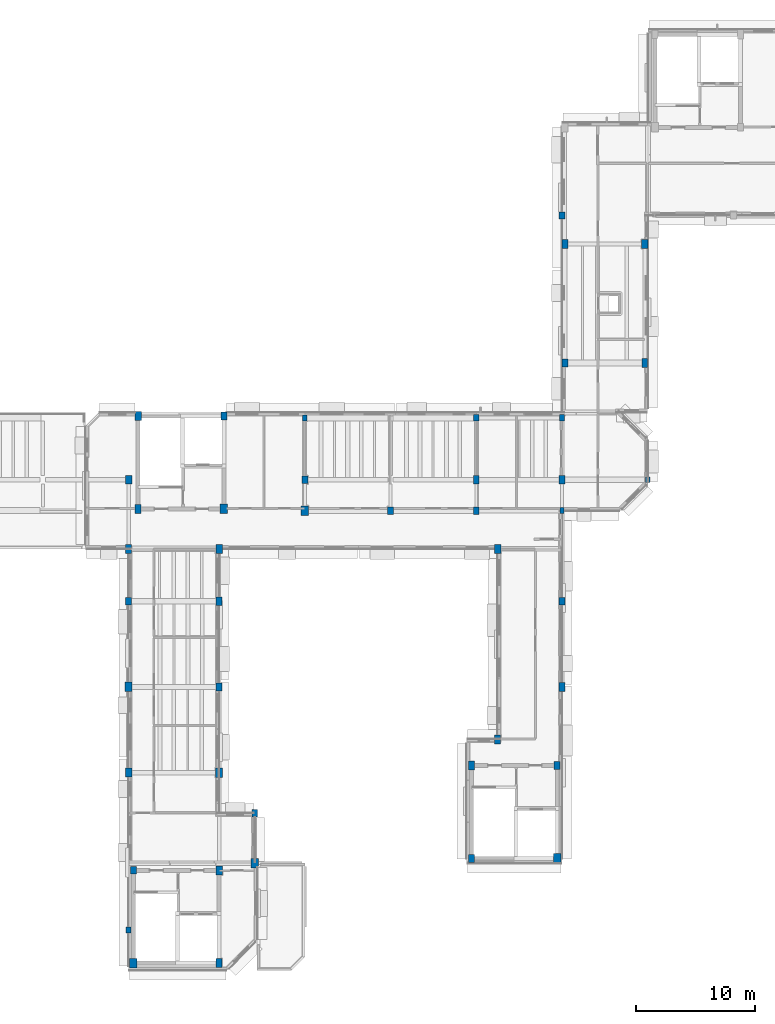
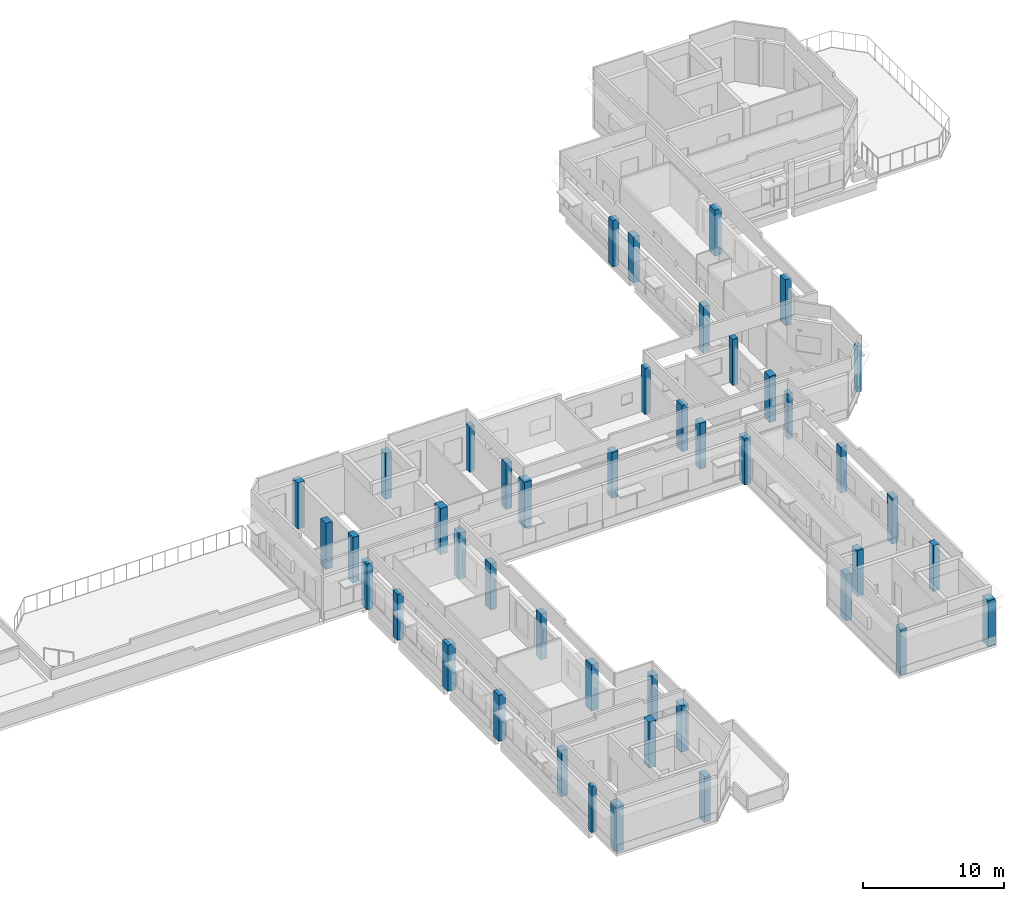
# One storey, part 1 of 17: 44 columns.
"""IFC4 building model written with IfcOpenShell, lengths in metres."""

from ifc_helpers import new_model, si_unit, direction, frame, origin, origin_2d, place, context, subcontext, project, spatial, rectangle, extrude, material, material_profile, profile_set, type_object, element, save


model = new_model("IFC4")

# Units and contexts
model_context = context("Model", 3, precision=1e-05, world=origin(), true_north=direction((0.0, 1.0)))
body_context = subcontext(model_context, "Body", "Model", "MODEL_VIEW")
ifc_project = project(units=[si_unit("LENGTHUNIT", "METRE"), si_unit("AREAUNIT", "SQUARE_METRE"), si_unit("VOLUMEUNIT", "CUBIC_METRE"), si_unit("PLANEANGLEUNIT", "RADIAN"), si_unit("MASSUNIT", "GRAM", prefix="KILO")], contexts=[model_context])

# Site, building, storey
site_placement = place(None, origin())
site = spatial("IfcSite", under=ifc_project, at=site_placement, CompositionType="ELEMENT")
building_placement = place(site_placement, origin())
building = spatial("IfcBuilding", under=site, at=building_placement, Name="Kelanivale Promenade Academy", CompositionType="ELEMENT")
storey_placement = place(building_placement, frame((0.0, 0.0, 20.199951171875)))
storey = spatial("IfcBuildingStorey", under=building, at=storey_placement, Name="L05", CompositionType="ELEMENT", Elevation=20.199951171875)

# Columns
ifc_material = material(Name="Concrete C40/50", Category="concrete")
ifc_material_profile_1 = material_profile(ifc_material, rectangle(XDim=0.5, YDim=0.64990234375, at=origin_2d()), Name="RC-COL 500x650")
ifc_profile_set_1 = profile_set([ifc_material_profile_1], Name="Concrete C40/50")
column_type_1 = type_object("IfcColumnType", Name="C-11 RC-COL 500x650", PredefinedType="COLUMN", material=ifc_profile_set_1)
for number, where, z_axis, x_axis, name in (
    (1, (79.199951171875, 64.0, 0.0), (0.0, 0.0, 1.0), (1.0, 0.0, 0.0), "Column C-11 at (79.2, 64.0) L05"),
    (2, (79.60009765625, 41.39990234375, 0.0), (0.0, 0.0, 1.0), (1.0, 0.0, 0.0), "Column C-11 at (79.6, 41.4) L05"),
    (3, (86.800048828125, 56.800048828125, 0.0), (0.0, 0.0, 1.0), (1.0, 0.0, 0.0), "Column C-11 at (86.8, 56.8) L05"),
    (4, (87.199951171875, 79.550048828125, 0.0), (0.0, 0.0, 1.0), (1.0, 0.0, 0.0), "Column C-11 at (87.2, 79.5) L05"),
    (5, (89.800048828125, 46.199951171875, 0.0), (0.0, 0.0, 1.0), (1.0, 0.0, 0.0), "Column C-11 at (89.8, 46.2) L05"),
    (6, (94.0, 74.199951171875, 0.0), (0.0, 0.0, 1.0), (1.0, 0.0, 0.0), "Column C-11 at (94.0, 74.2) L05"),
    (7, (101.199951171875, 71.60009765625, 0.0), (0.0, 0.0, 1.0), (1.0, 0.0, 0.0), "Column C-11 at (101.2, 71.6) L05"),
    (8, (108.0, 42.39990234375, 0.0), (0.0, 0.0, 1.0), (1.0, 0.0, 0.0), "Column C-11 at (108.0, 42.4) L05"),
    (9, (108.39990234375, 71.60009765625, 0.0), (0.0, 0.0, 1.0), (1.0, 0.0, 0.0), "Column C-11 at (108.4, 71.6) L05"),
    (10, (115.199951171875, 50.199951171875, 0.0), (0.0, 0.0, 1.0), (1.0, 0.0, 0.0), "Column C-11 at (115.2, 50.2) L05"),
    (11, (115.85009765625, 84.0, 0.0), (0.0, 0.0, 1.0), (1.0, 0.0, 0.0), "Column C-11 at (115.8, 84.0) L05"),
):
    element("IfcColumn", number, at=place(storey_placement, frame(where, z_axis=z_axis, x_axis=x_axis)), inside=storey, type_object=column_type_1, Name=name, PredefinedType="COLUMN", context=body_context, shape_type="SweptSolid", body=[
        extrude(rectangle(XDim=0.5, YDim=0.64990234375, at=origin_2d()), origin(), (0.0, 0.0, 1.0), 4.0),
    ])
ifc_material_profile_2 = material_profile(ifc_material, rectangle(XDim=0.5, YDim=0.75, at=origin_2d()), Name="RC-COL 500x750")
ifc_profile_set_2 = profile_set([ifc_material_profile_2], Name="Concrete C40/50")
column_type_2 = type_object("IfcColumnType", Name="C-12 RC-COL 500x750", PredefinedType="COLUMN", material=ifc_profile_set_2)
for number, where, z_axis, x_axis, name in (
    (12, (79.199951171875, 68.39990234375, 0.0), (0.0, 0.0, 1.0), (1.0, 0.0, 0.0), "Column C-12 at (79.2, 68.4) L05"),
    (13, (80.0, 71.75, 0.0), (0.0, 0.0, 1.0), (1.0, 0.0, 0.0), "Column C-12 at (80.0, 71.8) L05"),
    (14, (86.800048828125, 33.60009765625, 0.0), (0.0, 0.0, 1.0), (1.0, 0.0, 0.0), "Column C-12 at (86.8, 33.6) L05"),
    (15, (86.800048828125, 64.0, 0.0), (0.0, 0.0, 1.0), (1.0, 0.0, 0.0), "Column C-12 at (86.8, 64.0) L05"),
    (16, (108.0, 50.199951171875, 0.0), (0.0, 0.0, 1.0), (1.0, 0.0, 0.0), "Column C-12 at (108.0, 50.2) L05"),
    (17, (108.39990234375, 74.199951171875, 0.0), (0.0, 0.0, 1.0), (1.0, 0.0, 0.0), "Column C-12 at (108.4, 74.2) L05"),
    (18, (110.199951171875, 52.39990234375, 0.0), (0.0, 0.0, 1.0), (1.0, 0.0, 0.0), "Column C-12 at (110.2, 52.4) L05"),
    (19, (115.60009765625, 56.800048828125, 0.0), (0.0, 0.0, 1.0), (1.0, 0.0, 0.0), "Column C-12 at (115.6, 56.8) L05"),
    (20, (115.60009765625, 74.199951171875, 0.0), (0.0, 0.0, 1.0), (1.0, 0.0, 0.0), "Column C-12 at (115.6, 74.2) L05"),
    (21, (115.85009765625, 94.0, 0.0), (0.0, 0.0, 1.0), (1.0, 0.0, 0.0), "Column C-12 at (115.8, 94.0) L05"),
    (22, (122.550048828125, 84.0, 0.0), (0.0, 0.0, 1.0), (1.0, 0.0, 0.0), "Column C-12 at (122.5, 84.0) L05"),
):
    element("IfcColumn", number, at=place(storey_placement, frame(where, z_axis=z_axis, x_axis=x_axis)), inside=storey, type_object=column_type_2, Name=name, PredefinedType="COLUMN", context=body_context, shape_type="SweptSolid", body=[
        extrude(rectangle(XDim=0.5, YDim=0.75, at=origin_2d()), origin(), (0.0, 0.0, 1.0), 4.0),
    ])
ifc_material_profile_3 = material_profile(ifc_material, rectangle(XDim=0.550048828125, YDim=0.75, at=origin_2d()), Name="RC-COL 550x750")
ifc_profile_set_3 = profile_set([ifc_material_profile_3], Name="Concrete C40/50")
column_type_3 = type_object("IfcColumnType", Name="C-13 RC-COL 550x750", PredefinedType="COLUMN", material=ifc_profile_set_3)
for number, where, z_axis, x_axis, name in (
    (23, (79.199951171875, 49.60009765625, 0.0), (0.0, 0.0, 1.0), (1.0, 0.0, 0.0), "Column C-13 at (79.2, 49.6) L05"),
    (24, (79.199951171875, 74.199951171875, 0.0), (0.0, 0.0, 1.0), (1.0, 0.0, 0.0), "Column C-13 at (79.2, 74.2) L05"),
    (25, (80.0, 79.550048828125, 0.0), (0.0, 0.0, 1.0), (1.0, 0.0, 0.0), "Column C-13 at (80.0, 79.5) L05"),
    (26, (86.800048828125, 41.39990234375, 0.0), (0.0, 0.0, 1.0), (1.0, 0.0, 0.0), "Column C-13 at (86.8, 41.4) L05"),
    (27, (86.800048828125, 68.39990234375, 0.0), (0.0, 0.0, 1.0), (1.0, 0.0, 0.0), "Column C-13 at (86.8, 68.4) L05"),
    (28, (110.199951171875, 68.39990234375, 0.0), (0.0, 0.0, 1.0), (1.0, 0.0, 0.0), "Column C-13 at (110.2, 68.4) L05"),
    (29, (122.550048828125, 94.0, 0.0), (0.0, 0.0, 1.0), (1.0, 0.0, 0.0), "Column C-13 at (122.5, 94.0) L05"),
):
    element("IfcColumn", number, at=place(storey_placement, frame(where, z_axis=z_axis, x_axis=x_axis)), inside=storey, type_object=column_type_3, Name=name, PredefinedType="COLUMN", context=body_context, shape_type="SweptSolid", body=[
        extrude(rectangle(XDim=0.550048828125, YDim=0.75, at=origin_2d()), origin(), (0.0, 0.0, 1.0), 4.0),
    ])
ifc_material_profile_4 = material_profile(ifc_material, rectangle(XDim=0.60009765625, YDim=0.800048828125, at=origin_2d()), Name="RC-COL 600x800")
ifc_profile_set_4 = profile_set([ifc_material_profile_4], Name="Concrete C40/50")
column_type_4 = type_object("IfcColumnType", Name="C-14 RC-COL 600x800", PredefinedType="COLUMN", material=ifc_profile_set_4)
for number, where, z_axis, x_axis, name in (
    (30, (79.199951171875, 56.800048828125, 0.0), (0.0, 0.0, 1.0), (1.0, 0.0, 0.0), "Column C-14 at (79.2, 56.8) L05"),
    (31, (79.60009765625, 33.60009765625, 0.0), (0.0, 0.0, 1.0), (1.0, 0.0, 0.0), "Column C-14 at (79.6, 33.6) L05"),
    (32, (86.800048828125, 49.60009765625, 0.0), (0.0, 0.0, 1.0), (1.0, 0.0, 0.0), "Column C-14 at (86.8, 49.6) L05"),
    (33, (87.199951171875, 71.75, 0.0), (0.0, 0.0, 1.0), (1.0, 0.0, 0.0), "Column C-14 at (87.2, 71.8) L05"),
    (34, (89.800048828125, 42.0, 0.0), (0.0, 0.0, 1.0), (1.0, 0.0, 0.0), "Column C-14 at (89.8, 42.0) L05"),
    (35, (94.0, 71.60009765625, 0.0), (0.0, 0.0, 1.0), (1.0, 0.0, 0.0), "Column C-14 at (94.0, 71.6) L05"),
    (36, (115.199951171875, 42.39990234375, 0.0), (0.0, 0.0, 1.0), (1.0, 0.0, 0.0), "Column C-14 at (115.2, 42.4) L05"),
):
    element("IfcColumn", number, at=place(storey_placement, frame(where, z_axis=z_axis, x_axis=x_axis)), inside=storey, type_object=column_type_4, Name=name, PredefinedType="COLUMN", context=body_context, shape_type="SweptSolid", body=[
        extrude(rectangle(XDim=0.60009765625, YDim=0.800048828125, at=origin_2d()), origin(), (0.0, 0.0, 1.0), 4.0),
    ])
ifc_material_profile_5 = material_profile(ifc_material, rectangle(XDim=0.35009765625, YDim=0.5, at=origin_2d()), Name="RC-PIL 350x500")
ifc_profile_set_5 = profile_set([ifc_material_profile_5], Name="Concrete C40/50")
column_type_5 = type_object("IfcColumnType", Name="PL-15 RC-PIL 350x500", PredefinedType="PILASTER", material=ifc_profile_set_5)
for number, where, z_axis, x_axis, name in (
    (37, (115.60009765625, 71.60009765625, 0.0), (0.0, 0.0, 1.0), (1.0, 0.0, 0.0), "Column PL-15 at (115.6, 71.6) L05"),
    (38, (122.800048828125, 74.199951171875, 0.0), (0.0, 0.0, 1.0), (1.0, 0.0, 0.0), "Column PL-15 at (122.8, 74.2) L05"),
):
    element("IfcColumn", number, at=place(storey_placement, frame(where, z_axis=z_axis, x_axis=x_axis)), inside=storey, type_object=column_type_5, Name=name, PredefinedType="PILASTER", context=body_context, shape_type="SweptSolid", body=[
        extrude(rectangle(XDim=0.35009765625, YDim=0.5, at=origin_2d()), origin(), (0.0, 0.0, 1.0), 4.0),
    ])
ifc_material_profile_6 = material_profile(ifc_material, rectangle(XDim=0.39990234375, YDim=0.5, at=origin_2d()), Name="RC-PIL 400x500")
ifc_profile_set_6 = profile_set([ifc_material_profile_6], Name="Concrete C40/50")
column_type_6 = type_object("IfcColumnType", Name="PL-16 RC-PIL 400x500", PredefinedType="PILASTER", material=ifc_profile_set_6)
for number, where, z_axis, x_axis, name in (
    (39, (79.199951171875, 36.39990234375, 0.0), (0.0, 0.0, 1.0), (1.0, 0.0, 0.0), "Column PL-16 at (79.2, 36.4) L05"),
    (40, (94.0, 79.39990234375, 0.0), (0.0, 0.0, 1.0), (1.0, 0.0, 0.0), "Column PL-16 at (94.0, 79.4) L05"),
):
    element("IfcColumn", number, at=place(storey_placement, frame(where, z_axis=z_axis, x_axis=x_axis)), inside=storey, type_object=column_type_6, Name=name, PredefinedType="PILASTER", context=body_context, shape_type="SweptSolid", body=[
        extrude(rectangle(XDim=0.39990234375, YDim=0.5, at=origin_2d()), origin(), (0.0, 0.0, 1.0), 4.0),
    ])
ifc_material_profile_7 = material_profile(ifc_material, rectangle(XDim=0.449951171875, YDim=0.550048828125, at=origin_2d()), Name="RC-PIL 450x550")
ifc_profile_set_7 = profile_set([ifc_material_profile_7], Name="Concrete C40/50")
column_type_7 = type_object("IfcColumnType", Name="PL-17 RC-PIL 450x550", PredefinedType="PILASTER", material=ifc_profile_set_7)
for number, where, z_axis, x_axis, name in (
    (41, (108.39990234375, 79.39990234375, 0.0), (0.0, 0.0, 1.0), (1.0, 0.0, 0.0), "Column PL-17 at (108.4, 79.4) L05"),
    (42, (115.60009765625, 79.39990234375, 0.0), (0.0, 0.0, 1.0), (1.0, 0.0, 0.0), "Column PL-17 at (115.6, 79.4) L05"),
):
    element("IfcColumn", number, at=place(storey_placement, frame(where, z_axis=z_axis, x_axis=x_axis)), inside=storey, type_object=column_type_7, Name=name, PredefinedType="PILASTER", context=body_context, shape_type="SweptSolid", body=[
        extrude(rectangle(XDim=0.449951171875, YDim=0.550048828125, at=origin_2d()), origin(), (0.0, 0.0, 1.0), 4.0),
    ])
ifc_material_profile_8 = material_profile(ifc_material, rectangle(XDim=0.5, YDim=0.60009765625, at=origin_2d()), Name="RC-PIL 500x600")
ifc_profile_set_8 = profile_set([ifc_material_profile_8], Name="Concrete C40/50")
column_type_8 = type_object("IfcColumnType", Name="PL-18 RC-PIL 500x600", PredefinedType="PILASTER", material=ifc_profile_set_8)
for number, where, z_axis, x_axis, name in (
    (43, (115.60009765625, 64.0, 0.0), (0.0, 0.0, 1.0), (1.0, 0.0, 0.0), "Column PL-18 at (115.6, 64.0) L05"),
    (44, (115.60009765625, 96.39990234375, 0.0), (0.0, 0.0, 1.0), (1.0, 0.0, 0.0), "Column PL-18 at (115.6, 96.4) L05"),
):
    element("IfcColumn", number, at=place(storey_placement, frame(where, z_axis=z_axis, x_axis=x_axis)), inside=storey, type_object=column_type_8, Name=name, PredefinedType="PILASTER", context=body_context, shape_type="SweptSolid", body=[
        extrude(rectangle(XDim=0.5, YDim=0.60009765625, at=origin_2d()), origin(), (0.0, 0.0, 1.0), 4.0),
    ])

save(model, "model.ifc")
